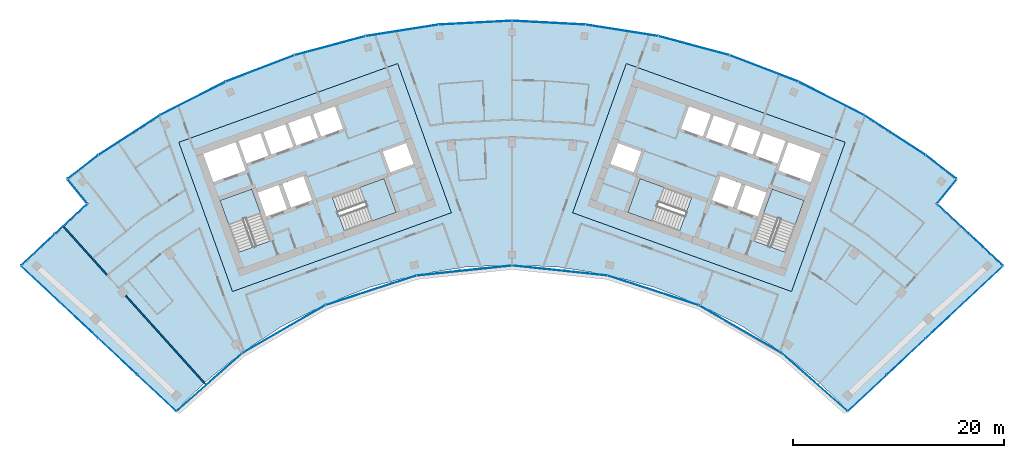
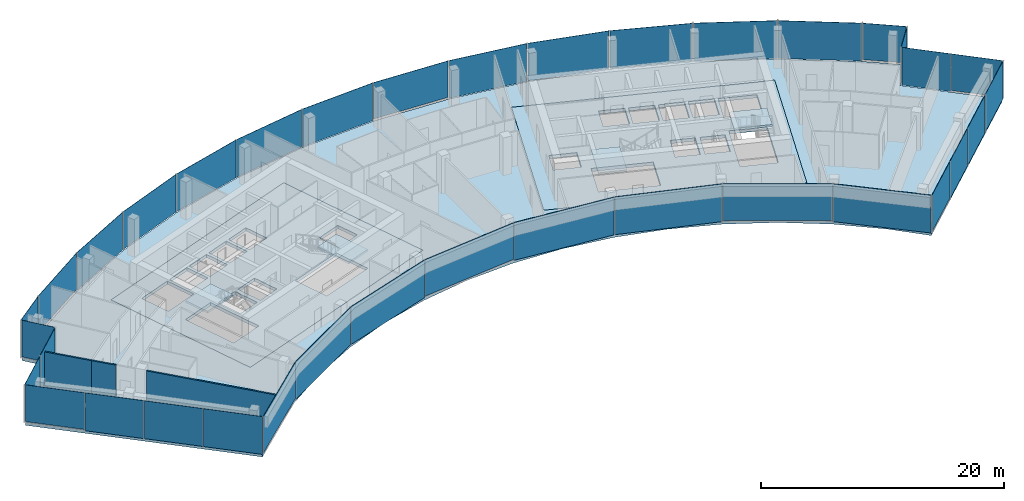
# One storey, part 11 of 18: 36 plates, 7 slabs, 3 walls, 12 elements without a shape of their own.
"""IFC4 building model written with IfcOpenShell, lengths in metres."""

from ifc_helpers import new_model, si_unit, direction, frame, frame_2d, origin, origin_2d, place, context, subcontext, project, spatial, polyline, rectangle, outline, extrude, material, layer, layer_set, type_object, element, aggregate, save


model = new_model("IFC4")

# Units and contexts
model_context = context("Model", 3, precision=1e-05, world=origin(), true_north=direction((0.0, 1.0)))
body_context = subcontext(model_context, "Body", "Model", "MODEL_VIEW")
ifc_project = project(units=[si_unit("LENGTHUNIT", "METRE"), si_unit("AREAUNIT", "SQUARE_METRE"), si_unit("VOLUMEUNIT", "CUBIC_METRE"), si_unit("PLANEANGLEUNIT", "RADIAN"), si_unit("MASSUNIT", "GRAM", prefix="KILO")], contexts=[model_context])

# Site, building, storey
site_placement = place(None, origin())
site = spatial("IfcSite", under=ifc_project, at=site_placement, CompositionType="ELEMENT")
building_placement = place(site_placement, origin())
building = spatial("IfcBuilding", under=site, at=building_placement, Name="Stone Belt Terrace Tower", CompositionType="ELEMENT")
storey_placement = place(building_placement, frame((0.0, 0.0, 288.39990234375)))
storey = spatial("IfcBuildingStorey", under=building, at=storey_placement, Name="L70", CompositionType="ELEMENT", Elevation=288.39990234375)

# Curtain wall, plates
ifc_material_1 = material(Name="Aluminium 6063-T6 anodised frame", Category="aluminium")
ifc_layer_1 = layer(ifc_material_1, 0.14990234375)
ifc_layer_set_1 = layer_set([ifc_layer_1], Name="CW-A unitised convex-face curtain wall")
curtain_wall_type_1 = type_object("IfcCurtainWallType", Name="CW-A unitised convex-face curtain wall", PredefinedType="NOTDEFINED", material=ifc_layer_set_1)
curtain_wall_1_placement = place(storey_placement, origin())
curtain_wall_1 = element("IfcCurtainWall", 1, at=curtain_wall_1_placement, inside=storey, type_object=curtain_wall_type_1, Name="CW-A convex face L70", PredefinedType="NOTDEFINED")
ifc_material_2 = material(Name="Clear double glazed unit")
ifc_layer_2 = layer(ifc_material_2, 0.031982421875)
ifc_layer_set_2 = layer_set([ifc_layer_2], Name="CW-A glass panel 32")
plate_type_1 = type_object("IfcPlateType", Name="CW-A glass panel 32", PredefinedType="CURTAIN_PANEL", material=ifc_layer_set_2)
plate_1_placement = place(storey_placement, frame((40.583251953125, 52.744140625, 0.14013671875), z_axis=(0.0, 0.0, 1.0), x_axis=(-0.792693871824, 0.60961990254, 0.0)))
plate_1 = element("IfcPlate", 2, at=plate_1_placement, type_object=plate_type_1, Name="CW-A panel 1.1", PredefinedType="CURTAIN_PANEL", context=body_context, shape_type="SweptSolid", body=[
    extrude(rectangle(XDim=3.597900390625, YDim=0.031982421875, at=origin_2d()), origin(), (0.0, 0.0, 1.0), 3.659912109375),
])
plate_2_placement = place(storey_placement, frame((36.209716796875, 55.758056640625, 0.0), z_axis=(0.0, 0.0, 1.0), x_axis=(-0.838670567945, 0.544639035015, 0.0)))
plate_2 = element("IfcPlate", 3, at=plate_2_placement, type_object=plate_type_1, Name="CW-A panel 2.1", PredefinedType="CURTAIN_PANEL", context=body_context, shape_type="SweptSolid", body=[
    extrude(rectangle(XDim=6.900634765625, YDim=0.031982421875, at=origin_2d()), origin(), (0.0, 0.0, 1.0), 3.800048828125),
])
plate_3_placement = place(storey_placement, frame((30.18310546875, 59.237548828125, 0.0), z_axis=(0.0, 0.0, 1.0), x_axis=(-0.891006524188, 0.45399049974, 0.0)))
plate_3 = element("IfcPlate", 4, at=plate_3_placement, type_object=plate_type_1, Name="CW-A panel 3.1", PredefinedType="CURTAIN_PANEL", context=body_context, shape_type="SweptSolid", body=[
    extrude(rectangle(XDim=6.90087890625, YDim=0.031982421875, at=origin_2d()), origin(), (0.0, 0.0, 1.0), 3.800048828125),
])
plate_4_placement = place(storey_placement, frame((23.82568359375, 62.068115234375, 0.0), z_axis=(0.0, 0.0, 1.0), x_axis=(-0.933580426497, 0.358367949545, 0.0)))
plate_4 = element("IfcPlate", 5, at=plate_4_placement, type_object=plate_type_1, Name="CW-A panel 4.1", PredefinedType="CURTAIN_PANEL", context=body_context, shape_type="SweptSolid", body=[
    extrude(rectangle(XDim=6.90087890625, YDim=0.031982421875, at=origin_2d()), origin(), (0.0, 0.0, 1.0), 3.800048828125),
])
plate_5_placement = place(storey_placement, frame((17.207275390625, 64.218505859375, 0.0), z_axis=(0.0, 0.0, 1.0), x_axis=(-0.965925826289, 0.258819045103, 0.0)))
plate_5 = element("IfcPlate", 6, at=plate_5_placement, type_object=plate_type_1, Name="CW-A panel 5.1", PredefinedType="CURTAIN_PANEL", context=body_context, shape_type="SweptSolid", body=[
    extrude(rectangle(XDim=6.90087890625, YDim=0.031982421875, at=origin_2d()), origin(), (0.0, 0.0, 1.0), 3.800048828125),
])
plate_6_placement = place(storey_placement, frame((10.400390625, 65.665283203125, 0.0), z_axis=(0.0, 0.0, 1.0), x_axis=(-0.987688340595, 0.15643446504, 0.0)))
plate_6 = element("IfcPlate", 7, at=plate_6_placement, type_object=plate_type_1, Name="CW-A panel 6.1", PredefinedType="CURTAIN_PANEL", context=body_context, shape_type="SweptSolid", body=[
    extrude(rectangle(XDim=6.90087890625, YDim=0.031982421875, at=origin_2d()), origin(), (0.0, 0.0, 1.0), 3.800048828125),
])
plate_7_placement = place(storey_placement, frame((3.4794921875, 66.392822265625, 0.14013671875), z_axis=(0.0, 0.0, 1.0), x_axis=(-0.998629534755, 0.052335956243, 0.0)))
plate_7 = element("IfcPlate", 8, at=plate_7_placement, type_object=plate_type_1, Name="CW-A panel 7.1", PredefinedType="CURTAIN_PANEL", context=body_context, shape_type="SweptSolid", body=[
    extrude(rectangle(XDim=6.90087890625, YDim=0.031982421875, at=origin_2d()), origin(), (0.0, 0.0, 1.0), 3.659912109375),
])
plate_8_placement = place(storey_placement, frame((-3.4794921875, 66.392822265625, 0.0), z_axis=(0.0, 0.0, 1.0), x_axis=(-0.998629534755, -0.052335956243, 0.0)))
plate_8 = element("IfcPlate", 9, at=plate_8_placement, type_object=plate_type_1, Name="CW-A panel 8.1", PredefinedType="CURTAIN_PANEL", context=body_context, shape_type="SweptSolid", body=[
    extrude(rectangle(XDim=6.90087890625, YDim=0.031982421875, at=origin_2d()), origin(), (0.0, 0.0, 1.0), 3.800048828125),
])
plate_9_placement = place(storey_placement, frame((-10.400390625, 65.665283203125, 0.0), z_axis=(0.0, 0.0, 1.0), x_axis=(-0.987688340595, -0.15643446504, 0.0)))
plate_9 = element("IfcPlate", 10, at=plate_9_placement, type_object=plate_type_1, Name="CW-A panel 9.1", PredefinedType="CURTAIN_PANEL", context=body_context, shape_type="SweptSolid", body=[
    extrude(rectangle(XDim=6.90087890625, YDim=0.031982421875, at=origin_2d()), origin(), (0.0, 0.0, 1.0), 3.800048828125),
])
plate_10_placement = place(storey_placement, frame((-17.207275390625, 64.218505859375, 0.0), z_axis=(0.0, 0.0, 1.0), x_axis=(-0.965925826289, -0.258819045103, 0.0)))
plate_10 = element("IfcPlate", 11, at=plate_10_placement, type_object=plate_type_1, Name="CW-A panel 10.1", PredefinedType="CURTAIN_PANEL", context=body_context, shape_type="SweptSolid", body=[
    extrude(rectangle(XDim=6.90087890625, YDim=0.031982421875, at=origin_2d()), origin(), (0.0, 0.0, 1.0), 3.800048828125),
])
plate_11_placement = place(storey_placement, frame((-23.82568359375, 62.068115234375, 0.0), z_axis=(0.0, 0.0, 1.0), x_axis=(-0.933580426497, -0.358367949545, 0.0)))
plate_11 = element("IfcPlate", 12, at=plate_11_placement, type_object=plate_type_1, Name="CW-A panel 11.1", PredefinedType="CURTAIN_PANEL", context=body_context, shape_type="SweptSolid", body=[
    extrude(rectangle(XDim=6.90087890625, YDim=0.031982421875, at=origin_2d()), origin(), (0.0, 0.0, 1.0), 3.800048828125),
])
plate_12_placement = place(storey_placement, frame((-30.18310546875, 59.237548828125, 0.0), z_axis=(0.0, 0.0, 1.0), x_axis=(-0.891006524188, -0.45399049974, 0.0)))
plate_12 = element("IfcPlate", 13, at=plate_12_placement, type_object=plate_type_1, Name="CW-A panel 12.1", PredefinedType="CURTAIN_PANEL", context=body_context, shape_type="SweptSolid", body=[
    extrude(rectangle(XDim=6.90087890625, YDim=0.031982421875, at=origin_2d()), origin(), (0.0, 0.0, 1.0), 3.800048828125),
])
plate_13_placement = place(storey_placement, frame((-36.209716796875, 55.758056640625, 0.14013671875), z_axis=(0.0, 0.0, 1.0), x_axis=(-0.838670567945, -0.544639035015, 0.0)))
plate_13 = element("IfcPlate", 14, at=plate_13_placement, type_object=plate_type_1, Name="CW-A panel 13.1", PredefinedType="CURTAIN_PANEL", context=body_context, shape_type="SweptSolid", body=[
    extrude(rectangle(XDim=6.900634765625, YDim=0.031982421875, at=origin_2d()), origin(), (0.0, 0.0, 1.0), 3.659912109375),
])
plate_14_placement = place(storey_placement, frame((-40.583251953125, 52.744140625, 0.0), z_axis=(0.0, 0.0, 1.0), x_axis=(-0.792693871824, -0.60961990254, 0.0)))
plate_14 = element("IfcPlate", 15, at=plate_14_placement, type_object=plate_type_1, Name="CW-A panel 14.1", PredefinedType="CURTAIN_PANEL", context=body_context, shape_type="SweptSolid", body=[
    extrude(rectangle(XDim=3.597900390625, YDim=0.031982421875, at=origin_2d()), origin(), (0.0, 0.0, 1.0), 3.800048828125),
])
aggregate(curtain_wall_1, [plate_1, plate_2, plate_3, plate_4, plate_5, plate_6, plate_7, plate_8, plate_9, plate_10, plate_11, plate_12, plate_13, plate_14])

ifc_layer_3 = layer(ifc_material_1, 0.14990234375)
ifc_layer_set_3 = layer_set([ifc_layer_3], Name="CW-B unitised concave-face curtain wall")
curtain_wall_type_2 = type_object("IfcCurtainWallType", Name="CW-B unitised concave-face curtain wall", PredefinedType="NOTDEFINED", material=ifc_layer_set_3)
curtain_wall_2_placement = place(storey_placement, origin())
curtain_wall_2 = element("IfcCurtainWall", 16, at=curtain_wall_2_placement, inside=storey, type_object=curtain_wall_type_2, Name="CW-B concave face L70", PredefinedType="NOTDEFINED")
ifc_layer_4 = layer(ifc_material_2, 0.030029296875)
ifc_layer_set_4 = layer_set([ifc_layer_4], Name="CW-B glass panel 30")
plate_type_2 = type_object("IfcPlateType", Name="CW-B glass panel 30", PredefinedType="CURTAIN_PANEL", material=ifc_layer_set_4)
plate_15_placement = place(storey_placement, frame((-28.624755859375, 32.39404296875, 0.1201171875), z_axis=(0.0, 0.0, 1.0), x_axis=(0.749658646805, 0.661824684694, 0.0)))
plate_15 = element("IfcPlate", 17, at=plate_15_placement, type_object=plate_type_2, Name="CW-B panel 1.1", PredefinedType="CURTAIN_PANEL", context=body_context, shape_type="SweptSolid", body=[
    extrude(rectangle(XDim=8.2060546875, YDim=0.030029296875, at=origin_2d()), origin(), (0.0, 0.0, 1.0), 3.679931640625),
])
plate_16_placement = place(storey_placement, frame((-21.59375, 37.400634765625, 0.0), z_axis=(0.0, 0.0, 1.0), x_axis=(0.866025403784, 0.5, 0.0)))
plate_16 = element("IfcPlate", 18, at=plate_16_placement, type_object=plate_type_2, Name="CW-B panel 2.1", PredefinedType="CURTAIN_PANEL", context=body_context, shape_type="SweptSolid", body=[
    extrude(rectangle(XDim=9.013427734375, YDim=0.030029296875, at=origin_2d()), origin(), (0.0, 0.0, 1.0), 3.800048828125),
])
plate_17_placement = place(storey_placement, frame((-13.345458984375, 41.072998046875, 0.0), z_axis=(0.0, 0.0, 1.0), x_axis=(0.951056516295, 0.309016994375, 0.0)))
plate_17 = element("IfcPlate", 19, at=plate_17_placement, type_object=plate_type_2, Name="CW-B panel 3.1", PredefinedType="CURTAIN_PANEL", context=body_context, shape_type="SweptSolid", body=[
    extrude(rectangle(XDim=9.0126953125, YDim=0.030029296875, at=origin_2d()), origin(), (0.0, 0.0, 1.0), 3.800048828125),
])
plate_18_placement = place(storey_placement, frame((-4.51416015625, 42.9501953125, 0.1201171875), z_axis=(0.0, 0.0, 1.0), x_axis=(0.994521895368, 0.104528463268, 0.0)))
plate_18 = element("IfcPlate", 20, at=plate_18_placement, type_object=plate_type_2, Name="CW-B panel 4.1", PredefinedType="CURTAIN_PANEL", context=body_context, shape_type="SweptSolid", body=[
    extrude(rectangle(XDim=9.0126953125, YDim=0.030029296875, at=origin_2d()), origin(), (0.0, 0.0, 1.0), 3.679931640625),
])
plate_19_placement = place(storey_placement, frame((4.51416015625, 42.9501953125, 0.0), z_axis=(0.0, 0.0, 1.0), x_axis=(0.994521895368, -0.104528463268, 0.0)))
plate_19 = element("IfcPlate", 21, at=plate_19_placement, type_object=plate_type_2, Name="CW-B panel 5.1", PredefinedType="CURTAIN_PANEL", context=body_context, shape_type="SweptSolid", body=[
    extrude(rectangle(XDim=9.0126953125, YDim=0.030029296875, at=origin_2d()), origin(), (0.0, 0.0, 1.0), 3.800048828125),
])
plate_20_placement = place(storey_placement, frame((13.345458984375, 41.072998046875, 0.0), z_axis=(0.0, 0.0, 1.0), x_axis=(0.951056516295, -0.309016994375, 0.0)))
plate_20 = element("IfcPlate", 22, at=plate_20_placement, type_object=plate_type_2, Name="CW-B panel 6.1", PredefinedType="CURTAIN_PANEL", context=body_context, shape_type="SweptSolid", body=[
    extrude(rectangle(XDim=9.0126953125, YDim=0.030029296875, at=origin_2d()), origin(), (0.0, 0.0, 1.0), 3.800048828125),
])
plate_21_placement = place(storey_placement, frame((21.59375, 37.400634765625, 0.1201171875), z_axis=(0.0, 0.0, 1.0), x_axis=(0.866025403784, -0.5, 0.0)))
plate_21 = element("IfcPlate", 23, at=plate_21_placement, type_object=plate_type_2, Name="CW-B panel 7.1", PredefinedType="CURTAIN_PANEL", context=body_context, shape_type="SweptSolid", body=[
    extrude(rectangle(XDim=9.013427734375, YDim=0.030029296875, at=origin_2d()), origin(), (0.0, 0.0, 1.0), 3.679931640625),
])
plate_22_placement = place(storey_placement, frame((28.624755859375, 32.39404296875, 0.0), z_axis=(0.0, 0.0, 1.0), x_axis=(0.749658646805, -0.661824684694, 0.0)))
plate_22 = element("IfcPlate", 24, at=plate_22_placement, type_object=plate_type_2, Name="CW-B panel 8.1", PredefinedType="CURTAIN_PANEL", context=body_context, shape_type="SweptSolid", body=[
    extrude(rectangle(XDim=8.2060546875, YDim=0.030029296875, at=origin_2d()), origin(), (0.0, 0.0, 1.0), 3.800048828125),
])
aggregate(curtain_wall_2, [plate_15, plate_16, plate_17, plate_18, plate_19, plate_20, plate_21, plate_22])

ifc_layer_5 = layer(ifc_material_1, 0.14990234375)
ifc_layer_set_5 = layer_set([ifc_layer_5], Name="CW-C stick curtain wall, horn ends and notches")
curtain_wall_type_3 = type_object("IfcCurtainWallType", Name="CW-C stick curtain wall, horn ends and notches", PredefinedType="NOTDEFINED", material=ifc_layer_set_5)
curtain_wall_3_placement = place(storey_placement, origin())
curtain_wall_3 = element("IfcCurtainWall", 25, at=curtain_wall_3_placement, inside=storey, type_object=curtain_wall_type_3, Name="CW-C end face L70", PredefinedType="NOTDEFINED")
ifc_layer_6 = layer(ifc_material_2, 0.028076171875)
ifc_layer_set_6 = layer_set([ifc_layer_6], Name="CW-C glass panel 28")
plate_type_3 = type_object("IfcPlateType", Name="CW-C glass panel 28", PredefinedType="CURTAIN_PANEL", material=ifc_layer_set_6)
plate_23_placement = place(storey_placement, frame((33.617431640625, 31.3798828125, 0.1201171875), z_axis=(0.0, 0.0, 1.0), x_axis=(0.729904219708, 0.683549434973, 0.0)))
plate_23 = element("IfcPlate", 26, at=plate_23_placement, type_object=plate_type_3, Name="CW-C panel 1.1", PredefinedType="CURTAIN_PANEL", context=body_context, shape_type="SweptSolid", body=[
    extrude(rectangle(XDim=4.965576171875, YDim=0.028076171875, at=origin_2d()), origin(), (0.0, 0.0, 1.0), 3.679931640625),
])
plate_24_placement = place(storey_placement, frame((37.2763671875, 34.806396484375, 0.0), z_axis=(0.0, 0.0, 1.0), x_axis=(0.729904219708, 0.683549434973, 0.0)))
plate_24 = element("IfcPlate", 27, at=plate_24_placement, type_object=plate_type_3, Name="CW-C panel 2.1", PredefinedType="CURTAIN_PANEL", context=body_context, shape_type="SweptSolid", body=[
    extrude(rectangle(XDim=4.93994140625, YDim=0.028076171875, at=origin_2d()), origin(), (0.0, 0.0, 1.0), 3.800048828125),
])
plate_25_placement = place(storey_placement, frame((40.92578125, 38.22412109375, 0.0), z_axis=(0.0, 0.0, 1.0), x_axis=(0.729904219708, 0.683549434973, 0.0)))
plate_25 = element("IfcPlate", 28, at=plate_25_placement, type_object=plate_type_3, Name="CW-C panel 3.1", PredefinedType="CURTAIN_PANEL", context=body_context, shape_type="SweptSolid", body=[
    extrude(rectangle(XDim=4.93994140625, YDim=0.028076171875, at=origin_2d()), origin(), (0.0, 0.0, 1.0), 3.800048828125),
])
plate_26_placement = place(storey_placement, frame((44.588134765625, 41.65380859375, 0.0), z_axis=(0.0, 0.0, 1.0), x_axis=(0.729904219708, 0.683549434973, 0.0)))
plate_26 = element("IfcPlate", 29, at=plate_26_placement, type_object=plate_type_3, Name="CW-C panel 4.1", PredefinedType="CURTAIN_PANEL", context=body_context, shape_type="SweptSolid", body=[
    extrude(rectangle(XDim=4.974853515625, YDim=0.028076171875, at=origin_2d()), origin(), (0.0, 0.0, 1.0), 3.800048828125),
])
aggregate(curtain_wall_3, [plate_23, plate_24, plate_25, plate_26])

curtain_wall_4_placement = place(storey_placement, origin())
curtain_wall_4 = element("IfcCurtainWall", 30, at=curtain_wall_4_placement, inside=storey, type_object=curtain_wall_type_3, Name="CW-C notch face L70", PredefinedType="NOTDEFINED")
plate_27_placement = place(storey_placement, frame((44.8427734375, 44.91259765625, 0.1201171875), z_axis=(0.0, 0.0, 1.0), x_axis=(-0.731339333871, 0.682013767261, 0.0)))
plate_27 = element("IfcPlate", 31, at=plate_27_placement, type_object=plate_type_3, Name="CW-C panel 1.1", PredefinedType="CURTAIN_PANEL", context=body_context, shape_type="SweptSolid", body=[
    extrude(rectangle(XDim=4.268798828125, YDim=0.028076171875, at=origin_2d()), origin(), (0.0, 0.0, 1.0), 3.679931640625),
])
plate_28_placement = place(storey_placement, frame((41.731201171875, 47.814208984375, 0.0), z_axis=(0.0, 0.0, 1.0), x_axis=(-0.731339333871, 0.682013767261, 0.0)))
plate_28 = element("IfcPlate", 32, at=plate_28_placement, type_object=plate_type_3, Name="CW-C panel 2.1", PredefinedType="CURTAIN_PANEL", context=body_context, shape_type="SweptSolid", body=[
    extrude(rectangle(XDim=4.12060546875, YDim=0.028076171875, at=origin_2d()), origin(), (0.0, 0.0, 1.0), 3.800048828125),
])
aggregate(curtain_wall_4, [plate_27, plate_28])

# Curtain wall, plate
curtain_wall_5_placement = place(storey_placement, origin())
curtain_wall_5 = element("IfcCurtainWall", 33, at=curtain_wall_5_placement, inside=storey, type_object=curtain_wall_type_3, Name="CW-C notch face L70", PredefinedType="NOTDEFINED")
plate_29_placement = place(storey_placement, frame((41.119140625, 50.43505859375, 0.1201171875), z_axis=(0.0, 0.0, 1.0), x_axis=(0.631001485542, 0.775781622136, 0.0)))
plate_29 = element("IfcPlate", 34, at=plate_29_placement, type_object=plate_type_3, Name="CW-C panel 1.1", PredefinedType="CURTAIN_PANEL", context=body_context, shape_type="SweptSolid", body=[
    extrude(rectangle(XDim=2.859130859375, YDim=0.028076171875, at=origin_2d()), origin(), (0.0, 0.0, 1.0), 3.679931640625),
])
aggregate(curtain_wall_5, [plate_29])

curtain_wall_6_placement = place(storey_placement, origin())
curtain_wall_6 = element("IfcCurtainWall", 35, at=curtain_wall_6_placement, inside=storey, type_object=curtain_wall_type_3, Name="CW-C notch face L70", PredefinedType="NOTDEFINED")
plate_30_placement = place(storey_placement, frame((-41.119140625, 50.43505859375, 0.1201171875), z_axis=(0.0, 0.0, 1.0), x_axis=(0.631001485542, -0.775781622136, 0.0)))
plate_30 = element("IfcPlate", 36, at=plate_30_placement, type_object=plate_type_3, Name="CW-C panel 1.1", PredefinedType="CURTAIN_PANEL", context=body_context, shape_type="SweptSolid", body=[
    extrude(rectangle(XDim=2.859130859375, YDim=0.028076171875, at=origin_2d()), origin(), (0.0, 0.0, 1.0), 3.679931640625),
])
aggregate(curtain_wall_6, [plate_30])

# Curtain wall, plates
curtain_wall_7_placement = place(storey_placement, origin())
curtain_wall_7 = element("IfcCurtainWall", 37, at=curtain_wall_7_placement, inside=storey, type_object=curtain_wall_type_3, Name="CW-C notch face L70", PredefinedType="NOTDEFINED")
plate_31_placement = place(storey_placement, frame((-41.731201171875, 47.814208984375, 0.1201171875), z_axis=(0.0, 0.0, 1.0), x_axis=(-0.731339333871, -0.682013767261, 0.0)))
plate_31 = element("IfcPlate", 38, at=plate_31_placement, type_object=plate_type_3, Name="CW-C panel 1.1", PredefinedType="CURTAIN_PANEL", context=body_context, shape_type="SweptSolid", body=[
    extrude(rectangle(XDim=4.12060546875, YDim=0.028076171875, at=origin_2d()), origin(), (0.0, 0.0, 1.0), 3.679931640625),
])
plate_32_placement = place(storey_placement, frame((-44.8427734375, 44.91259765625, 0.0), z_axis=(0.0, 0.0, 1.0), x_axis=(-0.731339333871, -0.682013767261, 0.0)))
plate_32 = element("IfcPlate", 39, at=plate_32_placement, type_object=plate_type_3, Name="CW-C panel 2.1", PredefinedType="CURTAIN_PANEL", context=body_context, shape_type="SweptSolid", body=[
    extrude(rectangle(XDim=4.268798828125, YDim=0.028076171875, at=origin_2d()), origin(), (0.0, 0.0, 1.0), 3.800048828125),
])
aggregate(curtain_wall_7, [plate_31, plate_32])

curtain_wall_8_placement = place(storey_placement, origin())
curtain_wall_8 = element("IfcCurtainWall", 40, at=curtain_wall_8_placement, inside=storey, type_object=curtain_wall_type_3, Name="CW-C end face L70", PredefinedType="NOTDEFINED")
plate_33_placement = place(storey_placement, frame((-44.588134765625, 41.65380859375, 0.1201171875), z_axis=(0.0, 0.0, 1.0), x_axis=(0.729904219708, -0.683549434973, 0.0)))
plate_33 = element("IfcPlate", 41, at=plate_33_placement, type_object=plate_type_3, Name="CW-C panel 1.1", PredefinedType="CURTAIN_PANEL", context=body_context, shape_type="SweptSolid", body=[
    extrude(rectangle(XDim=4.974853515625, YDim=0.028076171875, at=origin_2d()), origin(), (0.0, 0.0, 1.0), 3.679931640625),
])
plate_34_placement = place(storey_placement, frame((-40.92578125, 38.22412109375, 0.0), z_axis=(0.0, 0.0, 1.0), x_axis=(0.729904219708, -0.683549434973, 0.0)))
plate_34 = element("IfcPlate", 42, at=plate_34_placement, type_object=plate_type_3, Name="CW-C panel 2.1", PredefinedType="CURTAIN_PANEL", context=body_context, shape_type="SweptSolid", body=[
    extrude(rectangle(XDim=4.93994140625, YDim=0.028076171875, at=origin_2d()), origin(), (0.0, 0.0, 1.0), 3.800048828125),
])
plate_35_placement = place(storey_placement, frame((-37.2763671875, 34.806396484375, 0.0), z_axis=(0.0, 0.0, 1.0), x_axis=(0.729904219708, -0.683549434973, 0.0)))
plate_35 = element("IfcPlate", 43, at=plate_35_placement, type_object=plate_type_3, Name="CW-C panel 3.1", PredefinedType="CURTAIN_PANEL", context=body_context, shape_type="SweptSolid", body=[
    extrude(rectangle(XDim=4.93994140625, YDim=0.028076171875, at=origin_2d()), origin(), (0.0, 0.0, 1.0), 3.800048828125),
])
plate_36_placement = place(storey_placement, frame((-33.617431640625, 31.3798828125, 0.0), z_axis=(0.0, 0.0, 1.0), x_axis=(0.729904219708, -0.683549434973, 0.0)))
plate_36 = element("IfcPlate", 44, at=plate_36_placement, type_object=plate_type_3, Name="CW-C panel 4.1", PredefinedType="CURTAIN_PANEL", context=body_context, shape_type="SweptSolid", body=[
    extrude(rectangle(XDim=4.965576171875, YDim=0.028076171875, at=origin_2d()), origin(), (0.0, 0.0, 1.0), 3.800048828125),
])
aggregate(curtain_wall_8, [plate_33, plate_34, plate_35, plate_36])

# Slabs
ifc_material_3 = material(Name="Concrete B40", Category="concrete")
ifc_layer_7 = layer(ifc_material_3, 0.320068359375)
ifc_layer_set_7 = layer_set([ifc_layer_7], Name="Core floor slab 320")
slab_type_1 = type_object("IfcSlabType", Name="Core floor slab 320", PredefinedType="FLOOR", material=ifc_layer_set_7)
slab_1_placement = place(storey_placement, frame((0.0, 0.0, -0.31982421875)))
element("IfcSlab", 45, at=slab_1_placement, inside=storey, type_object=slab_type_1, Name="Core A floor L70", PredefinedType="FLOOR", context=body_context, shape_type="SweptSolid", body=[
    extrude(outline(polyline([(-26.43505859375, 40.968994140625), (-5.735107421875, 48.4189453125), (-10.81396484375, 62.531982421875), (-31.513916015625, 55.0830078125), (-26.43505859375, 40.968994140625)]), holes=[polyline([(-24.60791015625, 50.659912109375), (-22.847900390625, 45.76806640625), (-25.85888671875, 44.68408203125), (-27.618896484375, 49.575927734375), (-24.60791015625, 50.659912109375)]), polyline([(-10.955078125, 48.452880859375), (-15.846923828125, 46.69189453125), (-16.998046875, 49.89208984375), (-12.10595703125, 51.652099609375), (-10.955078125, 48.452880859375)]), polyline([(-22.0869140625, 51.035888671875), (-21.27392578125, 48.778076171875), (-23.25, 48.06689453125), (-24.06298828125, 50.324951171875), (-22.0869140625, 51.035888671875)]), polyline([(-18.922119140625, 49.6240234375), (-20.89794921875, 48.9130859375), (-21.7109375, 51.1708984375), (-19.735107421875, 51.883056640625), (-18.922119140625, 49.6240234375)]), polyline([(-29.2109375, 53.9990234375), (-26.153076171875, 55.09912109375), (-25.18798828125, 52.41796875), (-28.24609375, 51.31689453125), (-29.2109375, 53.9990234375)]), polyline([(-10.01904296875, 55.007080078125), (-9.30810546875, 53.031005859375), (-11.51904296875, 52.235107421875), (-12.22998046875, 54.2109375), (-10.01904296875, 55.007080078125)]), polyline([(-25.87109375, 55.200927734375), (-23.801025390625, 55.946044921875), (-23.0390625, 53.8291015625), (-25.10888671875, 53.083984375), (-25.87109375, 55.200927734375)]), polyline([(-23.51806640625, 56.047119140625), (-21.447998046875, 56.7919921875), (-20.68603515625, 54.675048828125), (-22.756103515625, 53.929931640625), (-23.51806640625, 56.047119140625)]), polyline([(-19.095947265625, 57.638916015625), (-18.333984375, 55.52197265625), (-20.404052734375, 54.777099609375), (-21.166015625, 56.89404296875), (-19.095947265625, 57.638916015625)]), polyline([(-16.743896484375, 58.485107421875), (-15.98193359375, 56.367919921875), (-18.052001953125, 55.623046875), (-18.81396484375, 57.739990234375), (-16.743896484375, 58.485107421875)])]), origin(), (0.0, 0.0, 1.0), 0.31982421875),
])
slab_2_placement = place(storey_placement, frame((0.0, 0.0, -0.31982421875)))
element("IfcSlab", 46, at=slab_2_placement, inside=storey, type_object=slab_type_1, Name="Core B floor L70", PredefinedType="FLOOR", context=body_context, shape_type="SweptSolid", body=[
    extrude(outline(polyline([(26.43505859375, 40.968994140625), (31.513916015625, 55.0830078125), (10.81396484375, 62.531982421875), (5.735107421875, 48.4189453125), (26.43505859375, 40.968994140625)]), holes=[polyline([(27.618896484375, 49.575927734375), (25.85888671875, 44.68408203125), (22.847900390625, 45.76806640625), (24.60791015625, 50.659912109375), (27.618896484375, 49.575927734375)]), polyline([(12.10595703125, 51.652099609375), (16.998046875, 49.89208984375), (15.846923828125, 46.69189453125), (10.955078125, 48.452880859375), (12.10595703125, 51.652099609375)]), polyline([(23.25, 48.06689453125), (21.27392578125, 48.778076171875), (22.0869140625, 51.035888671875), (24.06298828125, 50.324951171875), (23.25, 48.06689453125)]), polyline([(18.922119140625, 49.6240234375), (19.735107421875, 51.883056640625), (21.7109375, 51.1708984375), (20.89794921875, 48.9130859375), (18.922119140625, 49.6240234375)]), polyline([(29.2109375, 53.9990234375), (28.24609375, 51.31689453125), (25.18798828125, 52.41796875), (26.153076171875, 55.09912109375), (29.2109375, 53.9990234375)]), polyline([(11.51904296875, 52.235107421875), (9.30810546875, 53.031005859375), (10.01904296875, 55.007080078125), (12.22998046875, 54.2109375), (11.51904296875, 52.235107421875)]), polyline([(23.0390625, 53.8291015625), (23.801025390625, 55.946044921875), (25.87109375, 55.200927734375), (25.10888671875, 53.083984375), (23.0390625, 53.8291015625)]), polyline([(20.68603515625, 54.675048828125), (21.447998046875, 56.7919921875), (23.51806640625, 56.047119140625), (22.756103515625, 53.929931640625), (20.68603515625, 54.675048828125)]), polyline([(19.095947265625, 57.638916015625), (21.166015625, 56.89404296875), (20.404052734375, 54.777099609375), (18.333984375, 55.52197265625), (19.095947265625, 57.638916015625)]), polyline([(16.743896484375, 58.485107421875), (18.81396484375, 57.739990234375), (18.052001953125, 55.623046875), (15.98193359375, 56.367919921875), (16.743896484375, 58.485107421875)])]), origin(), (0.0, 0.0, 1.0), 0.31982421875),
])
ifc_layer_8 = layer(ifc_material_3, 0.320068359375)
ifc_layer_set_8 = layer_set([ifc_layer_8], Name="Floor slab 320 B40")
slab_type_2 = type_object("IfcSlabType", Name="Floor slab 320 B40", PredefinedType="FLOOR", material=ifc_layer_set_8)
slab_3_placement = place(storey_placement, frame((0.0, 0.0, -0.31982421875)))
element("IfcSlab", 47, at=slab_3_placement, inside=storey, type_object=slab_type_2, Name="Floor slab L70", PredefinedType="FLOOR", context=body_context, shape_type="SweptSolid", body=[
    extrude(outline(polyline([(-40.068603515625, 49.26220703125), (-41.961669921875, 51.589599609375), (-39.087646484375, 53.799560546875), (-33.25, 57.5908203125), (-27.048095703125, 60.750732421875), (-20.549560546875, 63.245361328125), (-13.826171875, 65.046875), (-6.951171875, 66.1357421875), (0.0, 66.5), (6.951171875, 66.1357421875), (13.826171875, 65.046875), (20.549560546875, 63.245361328125), (27.048095703125, 60.750732421875), (33.25, 57.5908203125), (39.087646484375, 53.799560546875), (41.961669921875, 51.589599609375), (40.068603515625, 49.26220703125), (46.348876953125, 43.405517578125), (31.750732421875, 29.734375), (29.107177734375, 32.326904296875), (25.568603515625, 35.192138671875), (21.75, 37.672119140625), (17.693115234375, 39.7392578125), (13.442138671875, 41.37109375), (9.044189453125, 42.54931640625), (4.547119140625, 43.26171875), (0.0, 43.5), (-4.547119140625, 43.26171875), (-9.044189453125, 42.54931640625), (-13.442138671875, 41.37109375), (-17.693115234375, 39.7392578125), (-21.75, 37.672119140625), (-25.568603515625, 35.192138671875), (-29.107177734375, 32.326904296875), (-31.750732421875, 29.734375), (-46.348876953125, 43.405517578125), (-40.068603515625, 49.26220703125)]), holes=[polyline([(-10.81396484375, 62.532470703125), (-31.51416015625, 55.082763671875), (-26.434814453125, 40.968994140625), (-5.734619140625, 48.418701171875), (-10.81396484375, 62.532470703125)]), polyline([(26.434814453125, 40.968994140625), (31.51416015625, 55.082763671875), (10.81396484375, 62.532470703125), (5.734619140625, 48.418701171875), (26.434814453125, 40.968994140625)])]), origin(), (0.0, 0.0, 1.0), 0.31982421875),
])

# Stair, slab
stair_type = type_object("IfcStairType", Name="Exit stair 1500", PredefinedType="HALF_TURN_STAIR", material=ifc_material_3)
stair_1_placement = place(storey_placement, origin())
stair_1 = element("IfcStair", 48, at=stair_1_placement, inside=storey, type_object=stair_type, Name="L70 Exit stair 1 core A", PredefinedType="HALF_TURN_STAIR")
ifc_layer_9 = layer(ifc_material_3, 0.199951171875)
ifc_layer_set_9 = layer_set([ifc_layer_9], Name="Stair landing 200")
slab_type_3 = type_object("IfcSlabType", Name="Stair landing 200", PredefinedType="LANDING", material=ifc_layer_set_9)
slab_4_placement = place(storey_placement, frame((0.0, 0.0, 1.7001953125)))
slab_4 = element("IfcSlab", 49, at=slab_4_placement, type_object=slab_type_3, Name="ST1A landing 1", PredefinedType="LANDING", context=body_context, shape_type="SweptSolid", body=[
    extrude(outline(polyline([(-23.79541015625, 48.40087890625), (-24.6083984375, 50.659912109375), (-27.619384765625, 49.576171875), (-26.806396484375, 47.3173828125), (-23.79541015625, 48.40087890625)])), origin(), (0.0, 0.0, 1.0), 0.199951171875),
])
aggregate(stair_1, [slab_4])

stair_2_placement = place(storey_placement, origin())
stair_2 = element("IfcStair", 50, at=stair_2_placement, inside=storey, type_object=stair_type, Name="L70 Exit stair 2 core A", PredefinedType="HALF_TURN_STAIR")
slab_5_placement = place(storey_placement, frame((0.0, 0.0, 1.7001953125)))
slab_5 = element("IfcSlab", 51, at=slab_5_placement, type_object=slab_type_3, Name="ST2A landing 1", PredefinedType="LANDING", context=body_context, shape_type="SweptSolid", body=[
    extrude(outline(polyline([(-13.213623046875, 47.64013671875), (-10.95458984375, 48.453125), (-12.10595703125, 51.652099609375), (-14.36474609375, 50.839111328125), (-13.213623046875, 47.64013671875)])), origin(), (0.0, 0.0, 1.0), 0.199951171875),
])
aggregate(stair_2, [slab_5])

stair_3_placement = place(storey_placement, origin())
stair_3 = element("IfcStair", 52, at=stair_3_placement, inside=storey, type_object=stair_type, Name="L70 Exit stair 1 core B", PredefinedType="HALF_TURN_STAIR")
slab_6_placement = place(storey_placement, frame((0.0, 0.0, 1.7001953125)))
slab_6 = element("IfcSlab", 53, at=slab_6_placement, type_object=slab_type_3, Name="ST1B landing 1", PredefinedType="LANDING", context=body_context, shape_type="SweptSolid", body=[
    extrude(outline(polyline([(26.806396484375, 47.3173828125), (27.619384765625, 49.576171875), (24.6083984375, 50.659912109375), (23.79541015625, 48.40087890625), (26.806396484375, 47.3173828125)])), origin(), (0.0, 0.0, 1.0), 0.199951171875),
])
aggregate(stair_3, [slab_6])

stair_4_placement = place(storey_placement, origin())
stair_4 = element("IfcStair", 54, at=stair_4_placement, inside=storey, type_object=stair_type, Name="L70 Exit stair 2 core B", PredefinedType="HALF_TURN_STAIR")
slab_7_placement = place(storey_placement, frame((0.0, 0.0, 1.7001953125)))
slab_7 = element("IfcSlab", 55, at=slab_7_placement, type_object=slab_type_3, Name="ST2B landing 1", PredefinedType="LANDING", context=body_context, shape_type="SweptSolid", body=[
    extrude(outline(polyline([(14.36474609375, 50.839111328125), (12.10595703125, 51.652099609375), (10.95458984375, 48.453125), (13.213623046875, 47.64013671875), (14.36474609375, 50.839111328125)])), origin(), (0.0, 0.0, 1.0), 0.199951171875),
])
aggregate(stair_4, [slab_7])

# Walls
ifc_material_4 = material(Name="Gypsum board partition")
ifc_layer_10 = layer(ifc_material_4, 0.14990234375)
ifc_layer_set_10 = layer_set([ifc_layer_10], Name="PARTITION 150 EI 60")
wall_type = type_object("IfcWallType", Name="PARTITION 150 EI 60", PredefinedType="PARTITIONING", material=ifc_layer_set_10)
wall_1_placement = place(storey_placement, frame((-36.514892578125, 40.552978515625, 0.0), z_axis=(0.0, 0.0, 1.0), x_axis=(0.669127577115, -0.74314755301, 0.0)))
element("IfcWall", 56, at=wall_1_placement, inside=storey, type_object=wall_type, Name="L70/wall/i035", PredefinedType="PARTITIONING", context=body_context, shape_type="SweptSolid", body=[
    extrude(rectangle(XDim=11.263671875, YDim=0.14990234375, at=frame_2d((5.6318359375, 0.0))), origin(), (0.0, 0.0, 1.0), 3.47998046875),
])
wall_2_placement = place(storey_placement, frame((-39.697998046875, 44.089111328125, 0.0), z_axis=(0.0, 0.0, 1.0), x_axis=(0.668856019275, -0.743391972972, 0.0)))
element("IfcWall", 57, at=wall_2_placement, inside=storey, type_object=wall_type, Name="L70/wall/i036", PredefinedType="PARTITIONING", context=body_context, shape_type="SweptSolid", body=[
    extrude(rectangle(XDim=2.109375, YDim=0.14990234375, at=frame_2d((1.0546875, 0.0))), origin(), (0.0, 0.0, 1.0), 3.47998046875),
])
wall_3_placement = place(storey_placement, frame((-42.39892578125, 47.08837890625, 0.0), z_axis=(0.0, 0.0, 1.0), x_axis=(0.669038042055, -0.743228160314, 0.0)))
element("IfcWall", 58, at=wall_3_placement, inside=storey, type_object=wall_type, Name="L70/wall/i037", PredefinedType="PARTITIONING", context=body_context, shape_type="SweptSolid", body=[
    extrude(rectangle(XDim=4.047607421875, YDim=0.14990234375, at=frame_2d((2.02392578125, 0.0))), origin(), (0.0, 0.0, 1.0), 3.47998046875),
])

save(model, "model.ifc")
